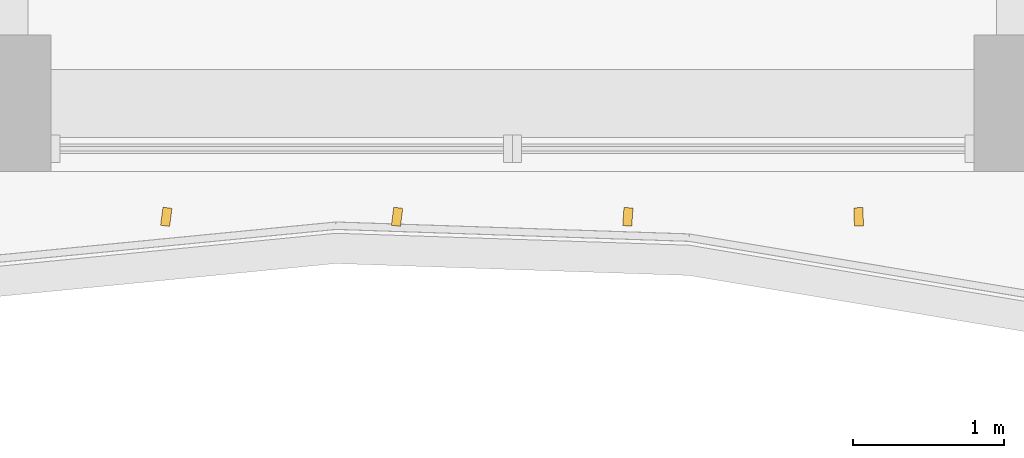
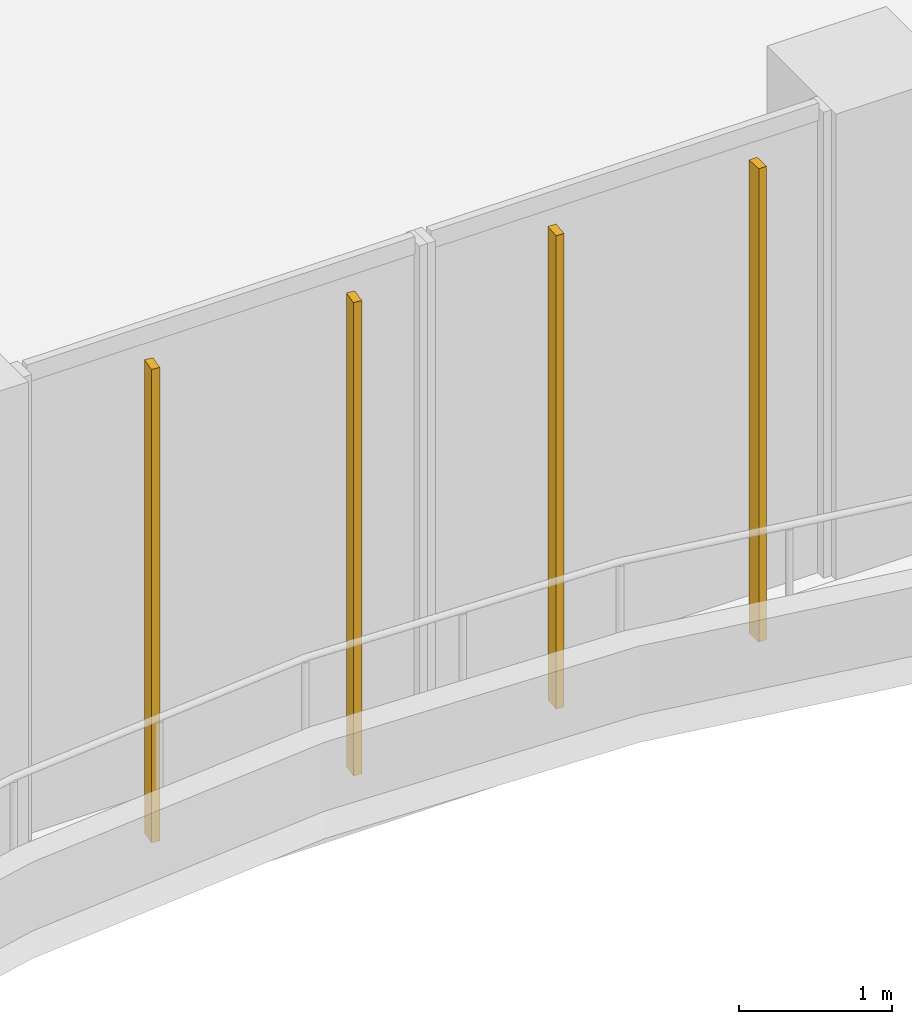
# One storey, part 19 of 27: 4 shading devices.
"""IFC4 building model written with IfcOpenShell, lengths in metres."""

from ifc_helpers import new_model, si_unit, direction, frame, origin, origin_2d, place, context, subcontext, project, spatial, rectangle, extrude, source, transform, mapped, material, material_profile, profile_set, type_object, element, save


model = new_model("IFC4")

# Units and contexts
model_context = context("Model", 3, precision=1e-05, world=origin(), true_north=direction((0.0, 1.0)))
body_context = subcontext(model_context, "Body", "Model", "MODEL_VIEW")
ifc_project = project(units=[si_unit("LENGTHUNIT", "METRE"), si_unit("AREAUNIT", "SQUARE_METRE"), si_unit("VOLUMEUNIT", "CUBIC_METRE"), si_unit("PLANEANGLEUNIT", "RADIAN"), si_unit("MASSUNIT", "GRAM", prefix="KILO")], contexts=[model_context])

# Site, building, storey
site_placement = place(None, origin())
site = spatial("IfcSite", under=ifc_project, at=site_placement, CompositionType="ELEMENT")
building_placement = place(site_placement, origin())
building = spatial("IfcBuilding", under=site, at=building_placement, Name="Kilnfold Tower and Market Hall", CompositionType="ELEMENT")
storey_placement = place(building_placement, frame((0.0, 0.0, 71.199951171875)))
storey = spatial("IfcBuildingStorey", under=building, at=storey_placement, Name="L16", CompositionType="ELEMENT", Elevation=71.199951171875)

# Shading devices
ifc_material = material(Name="Terracotta", Category="masonry")
ifc_material_profile = material_profile(ifc_material, rectangle(XDim=0.06005859375, YDim=0.1201171875, at=origin_2d()), Name="BAG 60x120")
ifc_profile_set = profile_set([ifc_material_profile], Name="Terracotta")
shading_device_type = type_object("IfcShadingDeviceType", Name="BAGUETTE", PredefinedType="USERDEFINED", material=ifc_profile_set)
shared_shape = source(origin(), body_context, "Body", "SweptSolid", [
    extrude(rectangle(XDim=0.06005859375, YDim=0.1201171875, at=origin_2d()), origin(), (0.0, 0.0, 1.0), 3.780029296875),
])
for number, where, z_axis, x_axis, name in (
    (1, (2.71240234375, -28.300048828125, 0.0), (0.0, 0.0, 1.0), (0.99117440451, -0.132564323421, 0.0), "Terracotta baguette L16 S"),
    (2, (4.237548828125, -28.300048828125, 0.0), (0.0, 0.0, 1.0), (0.991565629523, -0.1296055645, 0.0), "Terracotta baguette L16 S"),
    (3, (5.762451171875, -28.300048828125, 0.0), (0.0, 0.0, 1.0), (0.997658686143, -0.068389662692, 0.0), "Terracotta baguette L16 S"),
    (4, (7.28759765625, -28.300048828125, 0.0), (0.0, 0.0, 1.0), (0.999714103672, 0.023910477182, 0.0), "Terracotta baguette L16 S"),
):
    element("IfcShadingDevice", number, at=place(storey_placement, frame(where, z_axis=z_axis, x_axis=x_axis)), inside=storey, type_object=shading_device_type, Name=name, ObjectType="BAGUETTE", PredefinedType="USERDEFINED", context=body_context, shape_type="MappedRepresentation", body=[
        mapped(shared_shape, transform((0.0, 0.0, 0.0))),
    ])

save(model, "model.ifc")
